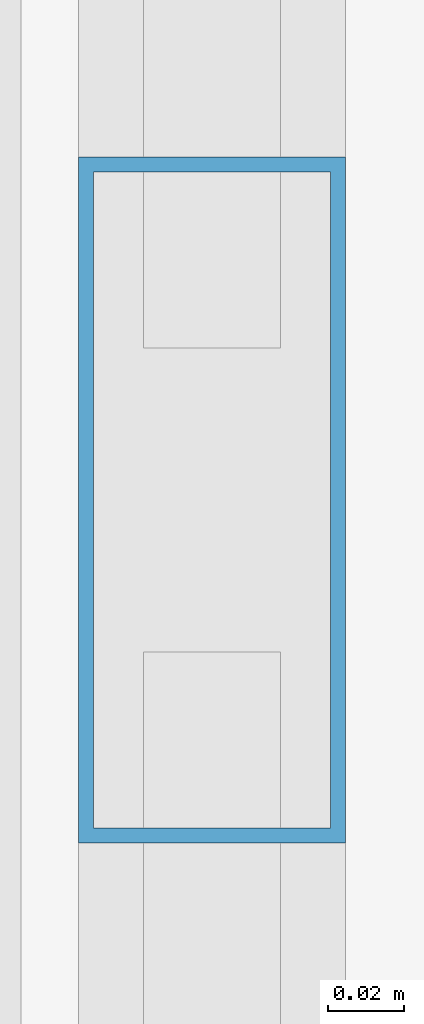
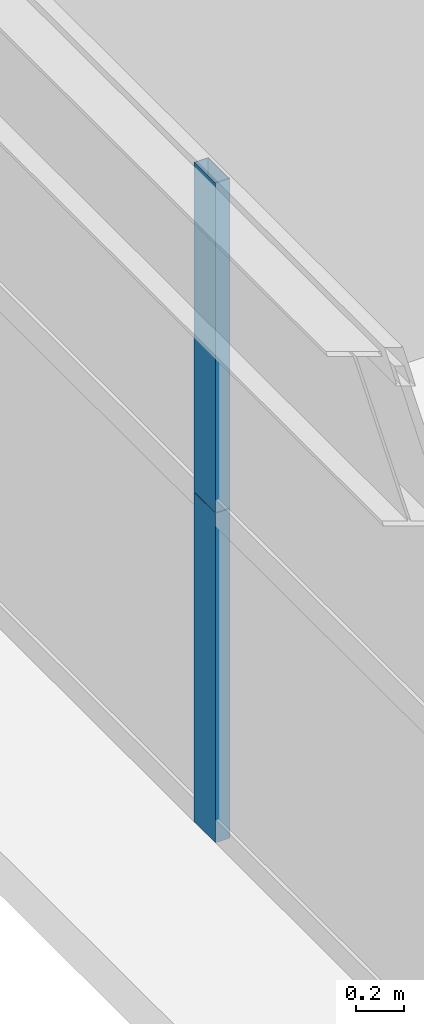
# One storey, part 9 of 43: 2 members, 1 element without a shape of its own.
"""IFC4 building model written with IfcOpenShell, lengths in metres."""

from ifc_helpers import new_model, si_unit, direction, frame, origin, origin_2d, place, context, subcontext, project, spatial, hollow_rectangle, extrude, source, transform, mapped, material, layer, layer_set, material_profile, profile_set, type_object, element, aggregate, save


model = new_model("IFC4")

# Units and contexts
model_context = context("Model", 3, precision=1e-05, world=origin(), true_north=direction((0.0, 1.0)))
body_context = subcontext(model_context, "Body", "Model", "MODEL_VIEW")
ifc_project = project(units=[si_unit("LENGTHUNIT", "METRE"), si_unit("AREAUNIT", "SQUARE_METRE"), si_unit("VOLUMEUNIT", "CUBIC_METRE"), si_unit("PLANEANGLEUNIT", "RADIAN"), si_unit("MASSUNIT", "GRAM", prefix="KILO"), si_unit("THERMODYNAMICTEMPERATUREUNIT", "KELVIN"), si_unit("POWERUNIT", "WATT")], contexts=[model_context])

# Site, building, storey
site_placement = place(None, origin())
site = spatial("IfcSite", under=ifc_project, at=site_placement, CompositionType="ELEMENT")
building_placement = place(site_placement, origin())
building = spatial("IfcBuilding", under=site, at=building_placement, Name="Yuzanri Waterfront Tower", CompositionType="ELEMENT")
storey_placement = place(building_placement, frame((0.0, 0.0, 67.60009765625)))
storey = spatial("IfcBuildingStorey", under=building, at=storey_placement, Name="L17", CompositionType="ELEMENT", Elevation=67.60009765625)

# Curtain wall, members
ifc_material_1 = material(Name="Anodized Architectural Bronze", Category="metal")
ifc_layer = layer(ifc_material_1, 0.159912109375)
ifc_layer_set = layer_set([ifc_layer], Name="Anodized Architectural Bronze")
curtain_wall_type = type_object("IfcCurtainWallType", Name="Anodized Bronze Hotel Lower-Tier Recessed Unitized Curtain Wall 8100", PredefinedType="NOTDEFINED", material=ifc_layer_set)
curtain_wall_placement = place(storey_placement, origin())
curtain_wall = element("IfcCurtainWall", 1, at=curtain_wall_placement, inside=storey, type_object=curtain_wall_type, Name="L17 Curtain Wall CW-L17-WL", PredefinedType="NOTDEFINED")
ifc_material_2 = material(Name="Anodized Architectural Bronze", Category="metal")
ifc_material_profile = material_profile(ifc_material_2, hollow_rectangle(XDim=0.070068359375, YDim=0.179931640625, WallThickness=0.00390625, at=origin_2d()), Name="CWM 70x180")
ifc_profile_set = profile_set([ifc_material_profile], Name="Anodized Architectural Bronze")
member_type = type_object("IfcMemberType", Name="Anodized Bronze Standard Curtain-Wall Mullion 70x180", PredefinedType="MULLION", material=ifc_profile_set)
shared_shape = source(origin(), body_context, "Body", "SweptSolid", [
    extrude(hollow_rectangle(XDim=0.070068359375, YDim=0.179931640625, WallThickness=0.00390625, at=origin_2d()), origin(), (0.0, 0.0, 1.0), 1.68798828125),
])
member_1_placement = place(storey_placement, frame((12.050048828125, 16.699951171875, 0.0), z_axis=(0.0, 0.0, 1.0), x_axis=(1.0, 0.0, 0.0)))
member_1 = element("IfcMember", 2, at=member_1_placement, type_object=member_type, Name="CW-L17-WL Lower Mullion 01", PredefinedType="MULLION", context=body_context, shape_type="MappedRepresentation", body=[
    mapped(shared_shape, transform((0.0, 0.0, 0.0), scale=1.0)),
])
member_2_placement = place(storey_placement, frame((12.050048828125, 16.699951171875, 1.69189453125), z_axis=(0.0, 0.0, 1.0), x_axis=(1.0, 0.0, 0.0)))
member_2 = element("IfcMember", 3, at=member_2_placement, type_object=member_type, Name="CW-L17-WL Upper Mullion 01", PredefinedType="MULLION", context=body_context, shape_type="MappedRepresentation", body=[
    mapped(shared_shape, transform((0.0, 0.0, 0.0), scale=1.0)),
])
aggregate(curtain_wall, [member_1, member_2])

save(model, "model.ifc")
